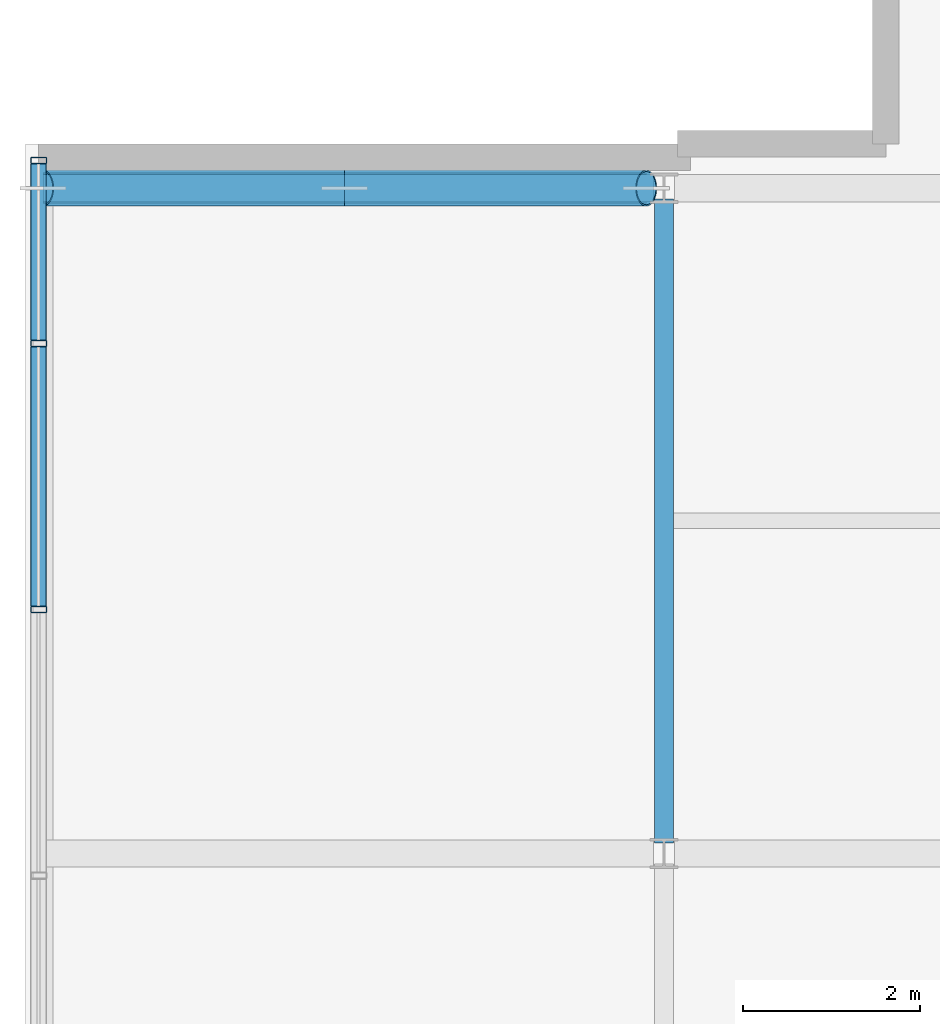
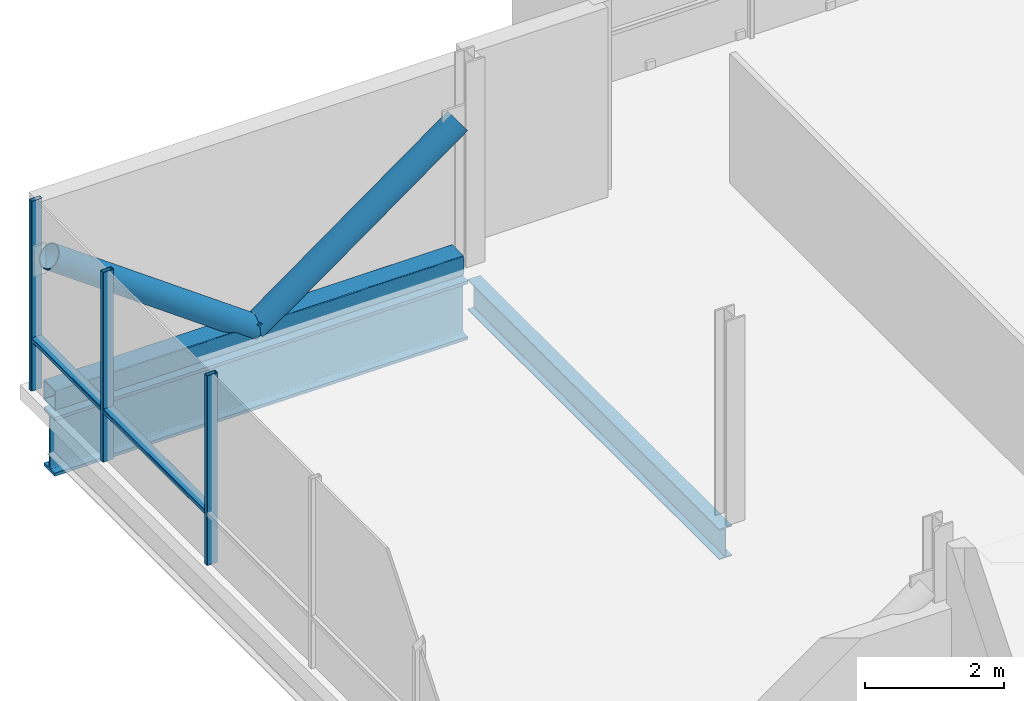
# One storey, part 4 of 18: 8 members, 2 beams, 1 element without a shape of its own.
"""IFC4 building model written with IfcOpenShell, lengths in metres."""

from ifc_helpers import new_model, si_unit, direction, frame, origin, origin_2d, place, context, subcontext, project, spatial, hollow_rectangle, hollow_circle, i_section, extrude, material, layer, layer_set, material_profile, profile_set, type_object, element, aggregate, save


model = new_model("IFC4")

# Units and contexts
model_context = context("Model", 3, precision=1e-05, world=origin(), true_north=direction((0.0, 1.0)))
body_context = subcontext(model_context, "Body", "Model", "MODEL_VIEW")
ifc_project = project(units=[si_unit("LENGTHUNIT", "METRE"), si_unit("AREAUNIT", "SQUARE_METRE"), si_unit("VOLUMEUNIT", "CUBIC_METRE"), si_unit("PLANEANGLEUNIT", "RADIAN"), si_unit("MASSUNIT", "GRAM", prefix="KILO")], contexts=[model_context])

# Site, building, storey
site_placement = place(None, origin())
site = spatial("IfcSite", under=ifc_project, at=site_placement, CompositionType="ELEMENT")
building_placement = place(site_placement, origin())
building = spatial("IfcBuilding", under=site, at=building_placement, Name="Brevholm Reach", CompositionType="ELEMENT")
storey_placement = place(building_placement, frame((0.0, 0.0, 243.64990234375)))
storey = spatial("IfcBuildingStorey", under=building, at=storey_placement, Name="L74", CompositionType="ELEMENT", Elevation=243.64990234375)

# Beams
ifc_material_1 = material(Name="Structural Steel S355J2", Category="steel")
ifc_material_profile_1 = material_profile(ifc_material_1, i_section(OverallWidth=0.210693359375, OverallDepth=0.53955078125, WebThickness=0.01171875, FlangeThickness=0.018798828125, FilletRadius=0.0126953125, at=origin_2d()), Name="UKB 533x210x109")
ifc_profile_set_1 = profile_set([ifc_material_profile_1], Name="Structural Steel S355J2")
beam_type_1 = type_object("IfcBeamType", Name="BM-SP539", PredefinedType="SPANDREL", material=ifc_profile_set_1)
beam_1_placement = place(storey_placement, frame((27.25, 16.1201171875, -0.51953125), z_axis=(0.0, 1.0, 0.0), x_axis=(-1.0, 0.0, 0.0)))
element("IfcBeam", 1, at=beam_1_placement, inside=storey, type_object=beam_type_1, Name="L74 SP-01B Framing Beam", PredefinedType="SPANDREL", context=body_context, shape_type="SweptSolid", body=[
    extrude(i_section(OverallWidth=0.210693359375, OverallDepth=0.53955078125, WebThickness=0.01171875, FlangeThickness=0.018798828125, FilletRadius=0.0126953125, at=origin_2d()), origin(), (0.0, 0.0, 1.0), 7.259765625),
])
ifc_material_2 = material(Name="Structural Steel S460ML", Category="steel")
ifc_material_profile_2 = material_profile(ifc_material_2, i_section(OverallWidth=0.30859375, OverallDepth=1.036376953125, WebThickness=0.030029296875, FlangeThickness=0.05419921875, FilletRadius=0.030029296875, at=origin_2d()), Name="UKB 1016x305x487")
ifc_profile_set_2 = profile_set([ifc_material_profile_2], Name="Structural Steel S460ML")
beam_type_2 = type_object("IfcBeamType", Name="BM-UKB1016", PredefinedType="USERDEFINED", material=ifc_profile_set_2)
beam_2_placement = place(storey_placement, frame((20.25, 23.5, -0.76806640625), z_axis=(1.0, 0.0, 0.0), x_axis=(0.0, 1.0, 0.0)))
element("IfcBeam", 2, at=beam_2_placement, inside=storey, type_object=beam_type_2, Name="L74 Sky-Lounge Cantilever Girder", ObjectType="GIRDER", PredefinedType="USERDEFINED", context=body_context, shape_type="SweptSolid", body=[
    extrude(i_section(OverallWidth=0.30859375, OverallDepth=1.036376953125, WebThickness=0.030029296875, FlangeThickness=0.05419921875, FilletRadius=0.030029296875, at=origin_2d()), origin(), (0.0, 0.0, 1.0), 6.8798828125),
])

# Curtain wall, members
ifc_material_3 = material(Name="Dark Anodised Aluminium 6063-T6 and Solar-Control Glass", Category="aluminium")
ifc_layer = layer(ifc_material_3, 0.179931640625)
ifc_layer_set = layer_set([ifc_layer], Name="Dark Anodised Aluminium 6063-T6 and Solar-Control Glass")
curtain_wall_type = type_object("IfcCurtainWallType", Name="CW-05", PredefinedType="NOTDEFINED", material=ifc_layer_set)
curtain_wall_placement = place(storey_placement, origin())
curtain_wall = element("IfcCurtainWall", 3, at=curtain_wall_placement, inside=storey, type_object=curtain_wall_type, Name="L74 Curtain Wall CW-05", PredefinedType="NOTDEFINED")
ifc_material_4 = material(Name="Dark Anodised Aluminium 6063-T6", Category="aluminium")
ifc_material_profile_3 = material_profile(ifc_material_4, hollow_rectangle(XDim=0.074951171875, YDim=0.179931640625, WallThickness=0.006103515625, InnerFilletRadius=0.006103515625, OuterFilletRadius=0.011962890625, at=origin_2d()), Name="RHS 180x75x6")
ifc_profile_set_3 = profile_set([ifc_material_profile_3], Name="Dark Anodised Aluminium 6063-T6")
member_type_1 = type_object("IfcMemberType", Name="CWM-180", PredefinedType="MULLION", material=ifc_profile_set_3)
member_1_placement = place(storey_placement, frame((20.199951171875, 18.75, 0.0), z_axis=(0.0, 0.0, 1.0), x_axis=(0.0, 1.0, 0.0)))
member_1 = element("IfcMember", 4, at=member_1_placement, type_object=member_type_1, Name="CM-180 Mullion 4", PredefinedType="MULLION", context=body_context, shape_type="SweptSolid", body=[
    extrude(hollow_rectangle(XDim=0.074951171875, YDim=0.179931640625, WallThickness=0.006103515625, InnerFilletRadius=0.006103515625, OuterFilletRadius=0.011962890625, at=origin_2d()), origin(), (0.0, 0.0, 1.0), 3.340087890625),
])
member_2_placement = place(storey_placement, frame((20.199951171875, 21.75, 0.0), z_axis=(0.0, 0.0, 1.0), x_axis=(0.0, 1.0, 0.0)))
member_2 = element("IfcMember", 5, at=member_2_placement, type_object=member_type_1, Name="CM-180 Mullion 5", PredefinedType="MULLION", context=body_context, shape_type="SweptSolid", body=[
    extrude(hollow_rectangle(XDim=0.074951171875, YDim=0.179931640625, WallThickness=0.006103515625, InnerFilletRadius=0.006103515625, OuterFilletRadius=0.011962890625, at=origin_2d()), origin(), (0.0, 0.0, 1.0), 3.340087890625),
])
member_3_placement = place(storey_placement, frame((20.199951171875, 23.8125, 0.0), z_axis=(0.0, 0.0, 1.0), x_axis=(0.0, 1.0, 0.0)))
member_3 = element("IfcMember", 6, at=member_3_placement, type_object=member_type_1, Name="CM-180 Mullion 6", PredefinedType="MULLION", context=body_context, shape_type="SweptSolid", body=[
    extrude(hollow_rectangle(XDim=0.074951171875, YDim=0.179931640625, WallThickness=0.006103515625, InnerFilletRadius=0.006103515625, OuterFilletRadius=0.011962890625, at=origin_2d()), origin(), (0.0, 0.0, 1.0), 3.340087890625),
])
ifc_material_5 = material(Name="Dark Anodised Aluminium 6063-T6", Category="aluminium")
ifc_material_profile_4 = material_profile(ifc_material_5, hollow_rectangle(XDim=0.074951171875, YDim=0.179931640625, WallThickness=0.006103515625, InnerFilletRadius=0.006103515625, OuterFilletRadius=0.011962890625, at=origin_2d()), Name="RHS 180x75x6")
ifc_profile_set_4 = profile_set([ifc_material_profile_4], Name="Dark Anodised Aluminium 6063-T6")
member_type_2 = type_object("IfcMemberType", Name="CWT-180", PredefinedType="NOTDEFINED", material=ifc_profile_set_4)
member_4_placement = place(storey_placement, frame((20.199951171875, 18.78759765625, 0.900146484375), z_axis=(0.0, 1.0, 0.0), x_axis=(0.0, 0.0, 1.0)))
member_4 = element("IfcMember", 7, at=member_4_placement, type_object=member_type_2, Name="CT-180 Transom 4.1", ObjectType="TRANSOM", PredefinedType="USERDEFINED", context=body_context, shape_type="SweptSolid", body=[
    extrude(hollow_rectangle(XDim=0.074951171875, YDim=0.179931640625, WallThickness=0.006103515625, InnerFilletRadius=0.006103515625, OuterFilletRadius=0.011962890625, at=origin_2d()), origin(), (0.0, 0.0, 1.0), 2.9248046875),
])
member_5_placement = place(storey_placement, frame((20.199951171875, 21.78759765625, 0.900146484375), z_axis=(0.0, 1.0, 0.0), x_axis=(0.0, 0.0, 1.0)))
member_5 = element("IfcMember", 8, at=member_5_placement, type_object=member_type_2, Name="CT-180 Transom 5.1", ObjectType="TRANSOM", PredefinedType="USERDEFINED", context=body_context, shape_type="SweptSolid", body=[
    extrude(hollow_rectangle(XDim=0.074951171875, YDim=0.179931640625, WallThickness=0.006103515625, InnerFilletRadius=0.006103515625, OuterFilletRadius=0.011962890625, at=origin_2d()), origin(), (0.0, 0.0, 1.0), 1.9873046875),
])
aggregate(curtain_wall, [member_1, member_2, member_3, member_4, member_5])

# Members
ifc_material_6 = material(Name="Structural Steel S460NH", Category="steel")
ifc_material_profile_5 = material_profile(ifc_material_6, hollow_circle(Radius=0.203125, WallThickness=0.01611328125, at=origin_2d()), Name="CHS 406.4x16")
ifc_profile_set_5 = profile_set([ifc_material_profile_5], Name="Structural Steel S460NH")
member_type_3 = type_object("IfcMemberType", Name="MEM-TB-CHS406", PredefinedType="BRACE", material=ifc_profile_set_5)
member_6_placement = place(storey_placement, frame((27.050048828125, 23.5, 2.5), z_axis=(-0.811325453495, 0.0, -0.584594738696), x_axis=(0.0, -1.0, 0.0)))
element("IfcMember", 9, at=member_6_placement, inside=storey, type_object=member_type_3, Name="L74 Sky-Lounge Cantilever Truss Diagonal Y23.1", PredefinedType="BRACE", context=body_context, shape_type="SweptSolid", body=[
    extrude(hollow_circle(Radius=0.203125, WallThickness=0.01611328125, at=origin_2d()), origin(), (0.0, 0.0, 1.0), 4.19091796875),
])
member_7_placement = place(storey_placement, frame((23.64990234375, 23.5, 0.050048828125), z_axis=(-0.81130554318, 0.0, 0.584622370086), x_axis=(0.0, -1.0, 0.0)))
element("IfcMember", 10, at=member_7_placement, inside=storey, type_object=member_type_3, Name="L74 Sky-Lounge Cantilever Truss Diagonal Y23.2", PredefinedType="BRACE", context=body_context, shape_type="SweptSolid", body=[
    extrude(hollow_circle(Radius=0.203125, WallThickness=0.01611328125, at=origin_2d()), origin(), (0.0, 0.0, 1.0), 4.190673828125),
])
ifc_material_7 = material(Name="Structural Steel S460NH", Category="steel")
ifc_material_profile_6 = material_profile(ifc_material_7, hollow_rectangle(XDim=0.35009765625, YDim=0.35009765625, WallThickness=0.01611328125, InnerFilletRadius=0.011962890625, OuterFilletRadius=0.02392578125, at=origin_2d()), Name="SHS 350x350x16")
ifc_profile_set_6 = profile_set([ifc_material_profile_6], Name="Structural Steel S460NH")
member_type_4 = type_object("IfcMemberType", Name="MEM-TC-SHS350", PredefinedType="CHORD", material=ifc_profile_set_6)
member_8_placement = place(storey_placement, frame((20.25, 23.5, 0.050048828125), z_axis=(1.0, 0.0, 0.0), x_axis=(0.0, 1.0, 0.0)))
element("IfcMember", 11, at=member_8_placement, inside=storey, type_object=member_type_4, Name="L74 Sky-Lounge Truss Bottom Chord Y23", PredefinedType="CHORD", context=body_context, shape_type="SweptSolid", body=[
    extrude(hollow_rectangle(XDim=0.35009765625, YDim=0.35009765625, WallThickness=0.01611328125, InnerFilletRadius=0.011962890625, OuterFilletRadius=0.02392578125, at=origin_2d()), origin(), (0.0, 0.0, 1.0), 6.800048828125),
])

save(model, "model.ifc")
